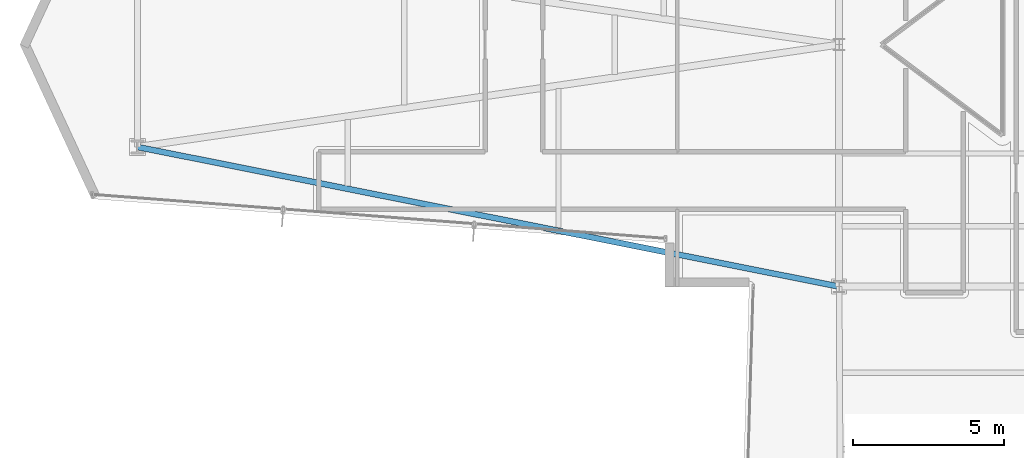
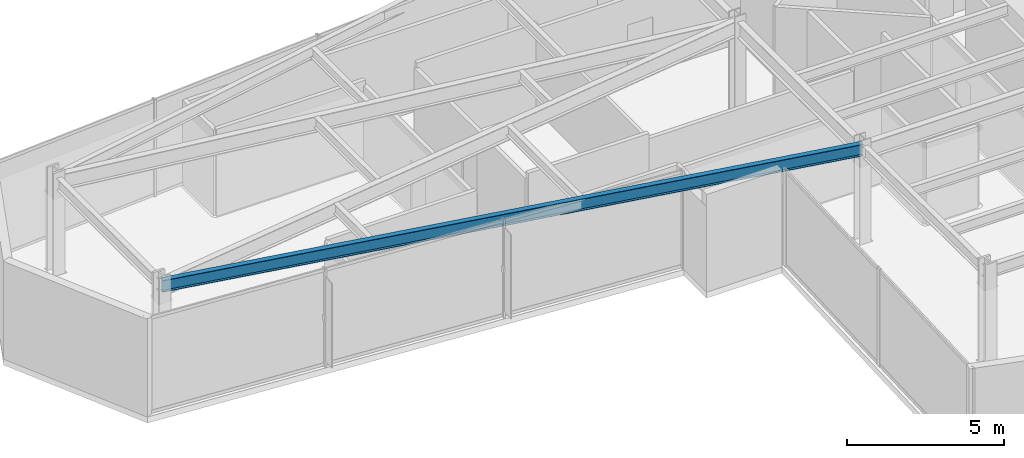
# One storey, part 3 of 30: 1 beam.
"""IFC4 building model written with IfcOpenShell, lengths in metres."""

from ifc_helpers import new_model, si_unit, direction, frame, origin, origin_2d, place, context, subcontext, project, spatial, i_section, extrude, material, material_profile, profile_set, type_object, element, save


model = new_model("IFC4")

# Units and contexts
model_context = context("Model", 3, precision=1e-05, world=origin(), true_north=direction((0.0, 1.0)))
body_context = subcontext(model_context, "Body", "Model", "MODEL_VIEW")
ifc_project = project(units=[si_unit("LENGTHUNIT", "METRE"), si_unit("AREAUNIT", "SQUARE_METRE"), si_unit("VOLUMEUNIT", "CUBIC_METRE"), si_unit("PLANEANGLEUNIT", "RADIAN"), si_unit("MASSUNIT", "GRAM", prefix="KILO")], contexts=[model_context])

# Site, building, storey
site_placement = place(None, origin())
site = spatial("IfcSite", under=ifc_project, at=site_placement, CompositionType="ELEMENT")
building_placement = place(site_placement, origin())
building = spatial("IfcBuilding", under=site, at=building_placement, Name="Veymaron Broadcast Tower", CompositionType="ELEMENT")
storey_placement = place(building_placement, frame((0.0, 0.0, 37.800048828125)))
storey = spatial("IfcBuildingStorey", under=building, at=storey_placement, Name="L07", CompositionType="ELEMENT", Elevation=37.800048828125)

# Beam
ifc_material = material(Name="Structural steel ASTM A992 Gr 50", Category="steel")
ifc_material_profile = material_profile(ifc_material, i_section(OverallWidth=0.19091796875, OverallDepth=0.4599609375, WebThickness=0.010009765625, FlangeThickness=0.01611328125, at=origin_2d()), Name="W460X82")
ifc_profile_set = profile_set([ifc_material_profile], Name="Structural steel ASTM A992 Gr 50")
beam_type = type_object("IfcBeamType", Name="BM-SP1", PredefinedType="SPANDREL", material=ifc_profile_set)
beam_placement = place(storey_placement, frame((8.007080078125, 20.614990234375, 3.579833984375), z_axis=(0.980771997416, -0.195157088225, 0.0), x_axis=(0.195157088225, 0.980771997416, 0.0)))
element("IfcBeam", 1, at=beam_placement, inside=storey, type_object=beam_type, Name="L07 primary structural floor girder", PredefinedType="SPANDREL", context=body_context, shape_type="SweptSolid", body=[
    extrude(i_section(OverallWidth=0.19091796875, OverallDepth=0.4599609375, WebThickness=0.010009765625, FlangeThickness=0.01611328125, at=origin_2d()), origin(), (0.0, 0.0, 1.0), 23.6474609375),
])

save(model, "model.ifc")
